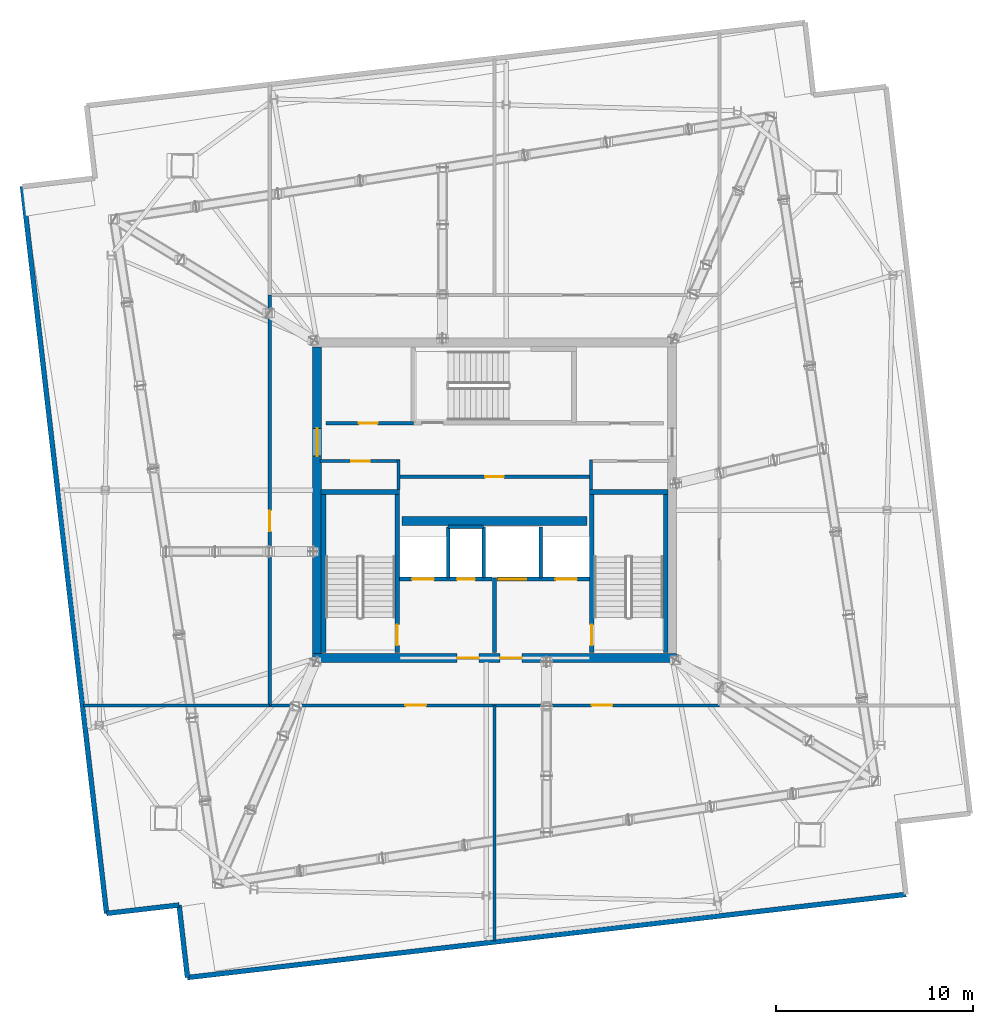
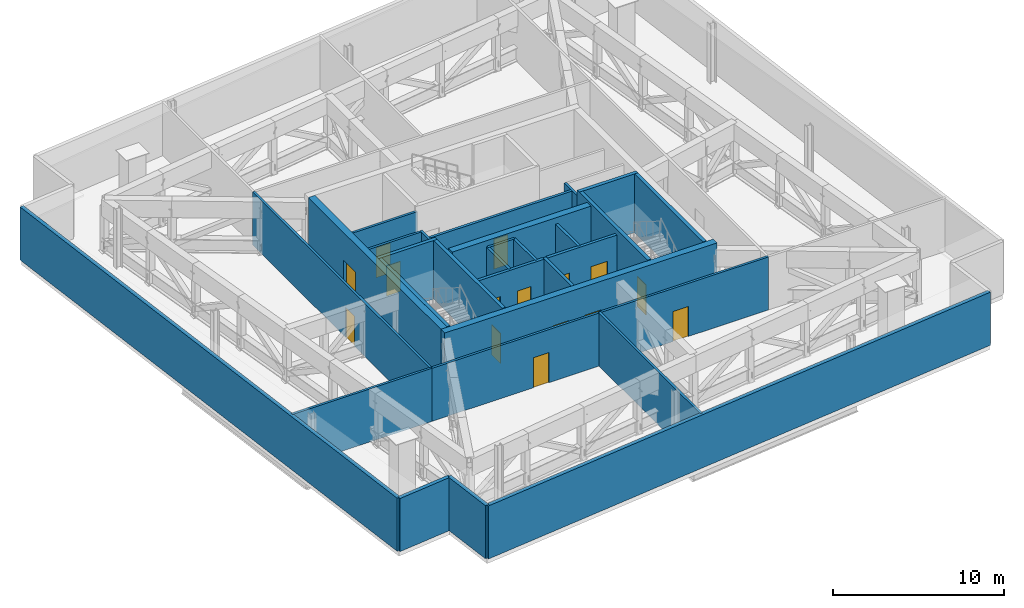
# One storey, part 9 of 13: 29 walls, 15 doors, 15 openings.
"""IFC4 building model written with IfcOpenShell, lengths in metres."""

import ifcopenshell
import ifcopenshell.guid

model = None  # the IFC model being written
_history = None  # IfcOwnerHistory: only IFC2X3 demands one
_inside = {}  # id of a spatial element -> (the spatial element, [elements in it])
_under = {}  # id of a project, library or spatial element -> (it, [spatial elements below it])
_declared = {}  # id of a project -> (the project, [libraries it declares])
_typed = {}  # id of a type object -> (the type object, [elements of that type])
_made_of = {}  # id of a material, layer set ... -> (it, [elements and type objects made of it])


def new_model(schema):
    """Start an empty IFC model of exactly this schema.

    Asked for "IFC4X3", IfcOpenShell would pick the latest addendum, in which some entities
    have other attributes; the version numbers below select the first issue.
    IFC2X3 requires an IfcOwnerHistory on every rooted entity: one is made here for all.
    """
    global model, _history
    if schema == "IFC4X3":
        model = ifcopenshell.file(schema_version=(4, 3, 0, 0))
    else:
        model = ifcopenshell.file(schema=schema)
    _inside.clear()
    _under.clear()
    _declared.clear()
    _typed.clear()
    _made_of.clear()
    _history = None
    if model.schema == "IFC2X3":
        org = make("IfcOrganization", Name="unknown")
        user = make(
            "IfcPersonAndOrganization",
            ThePerson=make("IfcPerson", FamilyName="unknown"),
            TheOrganization=org,
        )
        app = make(
            "IfcApplication",
            ApplicationDeveloper=org,
            Version="unknown",
            ApplicationFullName="unknown",
            ApplicationIdentifier="unknown",
        )
        _history = make(
            "IfcOwnerHistory",
            OwningUser=user,
            OwningApplication=app,
            ChangeAction="ADDED",
            CreationDate=0,
        )
    return model


def make(cls, **values):
    """One entity of the class cls with the attributes given. An attribute that is None is left unset."""
    return model.create_entity(
        cls, **{name: value for name, value in values.items() if value is not None}
    )


def rooted(cls, **values):
    """An entity with a GlobalId (a new one), such as an element, a storey or a relation."""
    return make(cls, GlobalId=ifcopenshell.guid.new(), OwnerHistory=_history, **values)


def si_unit(unit_type, name, prefix=None):
    """IfcSIUnit, for example si_unit("LENGTHUNIT", "METRE", prefix="MILLI")."""
    return make("IfcSIUnit", UnitType=unit_type, Prefix=prefix, Name=name)


def assignment(units):
    """IfcUnitAssignment: the units of a project."""
    return None if units is None else make("IfcUnitAssignment", Units=units)


def point(xyz):
    """IfcCartesianPoint."""
    return None if xyz is None else make("IfcCartesianPoint", Coordinates=xyz)


def direction(xyz):
    """IfcDirection."""
    return None if xyz is None else make("IfcDirection", DirectionRatios=xyz)


def frame(location, z_axis=None, x_axis=None):
    """IfcAxis2Placement3D, a coordinate frame: its origin and axes. An axis left out is left unset."""
    return make(
        "IfcAxis2Placement3D",
        Location=point(location),
        Axis=direction(z_axis),
        RefDirection=direction(x_axis),
    )


def frame_2d(location, x_axis=None):
    """IfcAxis2Placement2D, a coordinate frame in the plane: its origin and x axis."""
    return make(
        "IfcAxis2Placement2D", Location=point(location), RefDirection=direction(x_axis)
    )


def origin():
    """The frame at (0, 0, 0) with its axes left unset."""
    return frame((0.0, 0.0, 0.0))


def place(relative_to, where):
    """IfcLocalPlacement: puts the frame where relative to a parent placement (None: the world)."""
    return make(
        "IfcLocalPlacement", PlacementRelTo=relative_to, RelativePlacement=where
    )


def context(
    kind, dimensions, precision=None, world=None, true_north=None, identifier=None
):
    """IfcGeometricRepresentationContext, for example the 3D "Model" context."""
    return make(
        "IfcGeometricRepresentationContext",
        ContextIdentifier=identifier,
        ContextType=kind,
        CoordinateSpaceDimension=dimensions,
        Precision=precision,
        WorldCoordinateSystem=world,
        TrueNorth=true_north,
    )


def subcontext(parent, identifier, kind, view, scale=None):
    """IfcGeometricRepresentationSubContext, for example "Body" below "Model"."""
    return make(
        "IfcGeometricRepresentationSubContext",
        ContextIdentifier=identifier,
        ContextType=kind,
        ParentContext=parent,
        TargetScale=scale,
        TargetView=view,
    )


def project(units=None, contexts=None):
    """IfcProject with its units and contexts."""
    return rooted(
        "IfcProject",
        Name="project",
        RepresentationContexts=contexts,
        UnitsInContext=assignment(units),
    )


def spatial(cls, under=None, at=None, **own):
    """A site, building, storey or space (cls), placed at a placement, below another one or the project."""
    s = rooted(cls, ObjectPlacement=at, **own)
    if under is not None:
        _under.setdefault(under.id(), (under, []))[1].append(s)
    return s


def profile(cls, at=None, kind="AREA", **sizes):
    """A parametric profile (cls). Its sizes go by their IFC names, for example OverallWidth=200.0."""
    return make(cls, ProfileType=kind, Position=at, **sizes)


def rectangle(**sizes):
    """IfcRectangleProfileDef."""
    return profile("IfcRectangleProfileDef", **sizes)


def extrude(swept, where, along, depth):
    """IfcExtrudedAreaSolid: the profile swept, set in the frame where, extruded along a direction by depth."""
    return make(
        "IfcExtrudedAreaSolid",
        SweptArea=swept,
        Position=where,
        ExtrudedDirection=direction(along),
        Depth=depth,
    )


def shape(context_of_items, identifier, shape_type, items):
    """IfcShapeRepresentation: the items that make up one representation, for example the "Body"."""
    return make(
        "IfcShapeRepresentation",
        ContextOfItems=context_of_items,
        RepresentationIdentifier=identifier,
        RepresentationType=shape_type,
        Items=items,
    )


def material(Name=None, Category=None):
    """IfcMaterial."""
    return make("IfcMaterial", Name=Name, Category=Category)


def layer(
    of_material, thickness, ventilated=None, Name=None, Category=None, Priority=None
):
    """IfcMaterialLayer: one layer of a wall or slab, of a material (None: an air gap)."""
    return make(
        "IfcMaterialLayer",
        Material=of_material,
        LayerThickness=thickness,
        IsVentilated=ventilated,
        Name=Name,
        Category=Category,
        Priority=Priority,
    )


def layer_set(layers, Name=None):
    """IfcMaterialLayerSet."""
    return make("IfcMaterialLayerSet", MaterialLayers=layers, LayerSetName=Name)


def made_of(thing, what):
    """Note that an element or type object is made of a material, layer set ...; save() writes the relation."""
    if what is not None:
        _made_of.setdefault(what.id(), (what, []))[1].append(thing)
    return thing


def type_object(cls, material=None, **own):
    """A type object (cls), such as IfcWallType, which elements share."""
    return made_of(rooted(cls, **own), material)


def element(
    cls,
    number,
    at=None,
    inside=None,
    cuts=None,
    type_object=None,
    material=None,
    context=None,
    identifier="Body",
    shape_type=None,
    held_by="IfcProductDefinitionShape",
    body=None,
    shapes=None,
    **own,
):
    """One element of the class cls, such as IfcWall. Its Tag is "e" and its number.

    at: its placement. inside: the storey or other place that contains it. cuts: it is an
    opening in that element (IfcRelVoidsElement). A single representation is given by context,
    identifier, shape_type and body (its items); several are given by shapes. held_by: the class
    of the entity that holds the representations. save() writes the other relations.
    """
    e = rooted(cls, Tag="e%d" % number, ObjectPlacement=at, **own)
    if body is not None:
        shapes = [shape(context, identifier, shape_type, body)]
    if shapes is not None:
        e.Representation = make(held_by, Representations=shapes)
    if inside is not None:
        _inside.setdefault(inside.id(), (inside, []))[1].append(e)
    if cuts is not None:
        rooted(
            "IfcRelVoidsElement", RelatingBuildingElement=cuts, RelatedOpeningElement=e
        )
    if type_object is not None:
        _typed.setdefault(type_object.id(), (type_object, []))[1].append(e)
    return made_of(e, material)


def fill(opening, filler):
    """IfcRelFillsElement: the door or window that sits in an opening."""
    return rooted(
        "IfcRelFillsElement",
        RelatingOpeningElement=opening,
        RelatedBuildingElement=filler,
    )


def aggregate(whole, parts):
    """IfcRelAggregates: a whole, such as a stair, and the parts it consists of."""
    return rooted("IfcRelAggregates", RelatingObject=whole, RelatedObjects=parts)


def save(model, path):
    """Write the relations noted so far, then the file.

    IfcRelAggregates (storeys below a building ...), IfcRelContainedInSpatialStructure (elements
    in a storey), IfcRelDefinesByType, IfcRelAssociatesMaterial and IfcRelDeclares: one each for
    every whole, place, type object, material and project.
    """
    for whole, parts in _under.values():
        aggregate(whole, parts)
    for where, things in _inside.values():
        rooted(
            "IfcRelContainedInSpatialStructure",
            RelatedElements=things,
            RelatingStructure=where,
        )
    for kind, things in _typed.values():
        rooted("IfcRelDefinesByType", RelatedObjects=things, RelatingType=kind)
    for what, things in _made_of.values():
        rooted("IfcRelAssociatesMaterial", RelatedObjects=things, RelatingMaterial=what)
    for by, libraries in _declared.values():
        rooted("IfcRelDeclares", RelatingContext=by, RelatedDefinitions=libraries)
    model.write(path)


model = new_model("IFC4")

# Units and contexts
model_context = context("Model", 3, precision=1e-05, world=origin(), true_north=direction((0.0, 1.0)))
body_context = subcontext(model_context, "Body", "Model", "MODEL_VIEW")
ifc_project = project(units=[si_unit("LENGTHUNIT", "METRE"), si_unit("AREAUNIT", "SQUARE_METRE"), si_unit("VOLUMEUNIT", "CUBIC_METRE"), si_unit("PLANEANGLEUNIT", "RADIAN"), si_unit("MASSUNIT", "GRAM", prefix="KILO")], contexts=[model_context])

# Site, building, storey
site_placement = place(None, origin())
site = spatial("IfcSite", under=ifc_project, at=site_placement, CompositionType="ELEMENT")
building_placement = place(site_placement, origin())
building = spatial("IfcBuilding", under=site, at=building_placement, Name="Haldenkirk Collegiate Tower", CompositionType="ELEMENT")
storey_placement = place(building_placement, frame((0.0, 0.0, 352.199951171875)))
storey = spatial("IfcBuildingStorey", under=building, at=storey_placement, Name="L89", CompositionType="ELEMENT", Elevation=352.199951171875)

# Wall, openings, doors
ifc_material_1 = material(Name="Concrete f'c 55 MPa", Category="concrete")
ifc_layer_1 = layer(ifc_material_1, 0.449951171875)
ifc_layer_set_1 = layer_set([ifc_layer_1], Name="Concrete f'c 55 MPa")
wall_type_1 = type_object("IfcWallType", Name="WL-CORE-450", PredefinedType="SHEAR", material=ifc_layer_set_1)
wall_1_placement = place(storey_placement, frame((26.77490234375, 18.0, 0.0), z_axis=(0.0, 0.0, 1.0), x_axis=(1.0, 0.0, 0.0)))
wall_1 = element("IfcWall", 1, at=wall_1_placement, inside=storey, type_object=wall_type_1, Name="L89 central core shear wall S", PredefinedType="SHEAR", context=body_context, shape_type="SweptSolid", body=[
    extrude(rectangle(XDim=18.4501953125, YDim=0.449951171875, at=frame_2d((9.22509765625, 0.0))), origin(), (0.0, 0.0, 1.0), 4.199951171875),
])
opening_1_placement = place(wall_1_placement, frame((7.324951171875, 0.0, 0.0)))
opening_1 = element("IfcOpeningElement", 2, at=opening_1_placement, cuts=wall_1, Name="Opening D-02", PredefinedType="OPENING", context=body_context, shape_type="SweptSolid", body=[
    extrude(rectangle(XDim=1.10009765625, YDim=2.14990234375, at=frame_2d((0.550048828125, 1.074951171875))), frame((0.0, 0.23486328125, 0.0), z_axis=(0.0, -1.0, 0.0), x_axis=(1.0, 0.0, 0.0)), (0.0, 0.0, 1.0), 0.469970703125),
])
opening_2_placement = place(wall_1_placement, frame((9.5048828125, 0.0, 0.0)))
opening_2 = element("IfcOpeningElement", 3, at=opening_2_placement, cuts=wall_1, Name="Opening D-02", PredefinedType="OPENING", context=body_context, shape_type="SweptSolid", body=[
    extrude(rectangle(XDim=1.10009765625, YDim=2.14990234375, at=frame_2d((0.550048828125, 1.074951171875))), frame((0.0, 0.23486328125, 0.0), z_axis=(0.0, -1.0, 0.0), x_axis=(1.0, 0.0, 0.0)), (0.0, 0.0, 1.0), 0.469970703125),
])
ifc_material_2 = material(Name="Galvanized fire-rated hollow steel door", Category="steel")
ifc_layer_2 = layer(ifc_material_2, 0.06005859375)
ifc_layer_set_2 = layer_set([ifc_layer_2], Name="Galvanized fire-rated hollow steel door")
door_type_1 = type_object("IfcDoorType", Name="DR-STAIR-FD90-1100", OperationType="NOTDEFINED", PredefinedType="DOOR", material=ifc_layer_set_2)
door_1_placement = place(opening_1_placement, origin())
door_1 = element("IfcDoor", 4, at=door_1_placement, inside=storey, type_object=door_type_1, Name="L89 Firefighting Lobby 1 door", OperationType="SINGLE_SWING_LEFT", OverallHeight=2.14990234375, OverallWidth=1.10009765625, PredefinedType="DOOR", context=body_context, shape_type="SweptSolid", body=[
    extrude(rectangle(XDim=1.10009765625, YDim=2.14990234375, at=frame_2d((0.550048828125, 1.074951171875))), frame((0.0, 0.02490234375, 0.0), z_axis=(0.0, -1.0, 0.0), x_axis=(1.0, 0.0, 0.0)), (0.0, 0.0, 1.0), 0.050048828125),
])
fill(opening_1, door_1)
door_2_placement = place(opening_2_placement, origin())
door_2 = element("IfcDoor", 5, at=door_2_placement, inside=storey, type_object=door_type_1, Name="L89 Firefighting Lobby 2 door", OperationType="SINGLE_SWING_RIGHT", OverallHeight=2.14990234375, OverallWidth=1.10009765625, PredefinedType="DOOR", context=body_context, shape_type="SweptSolid", body=[
    extrude(rectangle(XDim=1.10009765625, YDim=2.14990234375, at=frame_2d((0.550048828125, 1.074951171875))), frame((0.0, 0.02490234375, 0.0), z_axis=(0.0, -1.0, 0.0), x_axis=(1.0, 0.0, 0.0)), (0.0, 0.0, 1.0), 0.050048828125),
])
fill(opening_2, door_2)

# Wall, opening, door
wall_2_placement = place(storey_placement, frame((27.0, 18.22509765625, 0.0), z_axis=(0.0, 0.0, 1.0), x_axis=(0.0, 1.0, 0.0)))
wall_2 = element("IfcWall", 6, at=wall_2_placement, inside=storey, type_object=wall_type_1, Name="L89 central core shear wall W", PredefinedType="SHEAR", context=body_context, shape_type="SweptSolid", body=[
    extrude(rectangle(XDim=15.5498046875, YDim=0.449951171875, at=frame_2d((7.77490234375, 0.0))), origin(), (0.0, 0.0, 1.0), 4.199951171875),
])
opening_3_placement = place(wall_2_placement, frame((10.014892578125, 0.0, 0.0)))
opening_3 = element("IfcOpeningElement", 7, at=opening_3_placement, cuts=wall_2, Name="Opening D-03", PredefinedType="OPENING", context=body_context, shape_type="SweptSolid", body=[
    extrude(rectangle(XDim=1.39990234375, YDim=2.199951171875, at=frame_2d((0.699951171875, 1.10009765625))), frame((0.0, 0.23486328125, 0.0), z_axis=(0.0, -1.0, 0.0), x_axis=(1.0, 0.0, 0.0)), (0.0, 0.0, 1.0), 0.469970703125),
])
ifc_layer_3 = layer(ifc_material_2, 0.06005859375)
ifc_layer_set_3 = layer_set([ifc_layer_3], Name="Galvanized fire-rated hollow steel door")
door_type_2 = type_object("IfcDoorType", Name="DR-LOBBY-FD90-1400", OperationType="NOTDEFINED", PredefinedType="DOOR", material=ifc_layer_set_3)
door_3_placement = place(opening_3_placement, origin())
door_3 = element("IfcDoor", 8, at=door_3_placement, inside=storey, type_object=door_type_2, Name="L89 west lift lobby portal", OperationType="DOUBLE_DOOR_SINGLE_SWING", OverallHeight=2.199951171875, OverallWidth=1.39990234375, PredefinedType="DOOR", context=body_context, shape_type="SweptSolid", body=[
    extrude(rectangle(XDim=1.39990234375, YDim=2.199951171875, at=frame_2d((0.699951171875, 1.10009765625))), frame((0.0, 0.02490234375, 0.0), z_axis=(0.0, -1.0, 0.0), x_axis=(1.0, 0.0, 0.0)), (0.0, 0.0, 1.0), 0.050048828125),
])
fill(opening_3, door_3)

# Walls
wall_3_placement = place(storey_placement, frame((31.31005859375, 24.949951171875, 0.0), z_axis=(0.0, 0.0, 1.0), x_axis=(1.0, 0.0, 0.0)))
element("IfcWall", 9, at=wall_3_placement, inside=storey, type_object=wall_type_1, Name="L89 central core spine shear wall", PredefinedType="SHEAR", context=body_context, shape_type="SweptSolid", body=[
    extrude(rectangle(XDim=9.3798828125, YDim=0.449951171875, at=frame_2d((4.68994140625, 0.0))), origin(), (0.0, 0.0, 1.0), 4.199951171875),
])
ifc_material_3 = material(Name="Precast concrete f'c 40 MPa", Category="concrete")
ifc_layer_4 = layer(ifc_material_3, 0.25)
ifc_layer_set_4 = layer_set([ifc_layer_4], Name="Precast concrete f'c 40 MPa")
wall_type_2 = type_object("IfcWallType", Name="WL-EXT-CRN-250", PredefinedType="STANDARD", material=ifc_layer_set_4)
wall_4_placement = place(storey_placement, frame((16.32763671875, 5.050048828125, 0.0), z_axis=(0.0, 0.0, 1.0), x_axis=(-0.114936569822, 0.993372832786, 0.0)))
element("IfcWall", 10, at=wall_4_placement, inside=storey, type_object=wall_type_2, Name="L89 crown bronze precast enclosure wall 07", PredefinedType="STANDARD", context=body_context, shape_type="SweptSolid", body=[
    extrude(rectangle(XDim=37.10009765625, YDim=0.25, at=frame_2d((18.550048828125, 0.0))), origin(), (0.0, 0.0, 1.0), 3.800048828125),
])
wall_5_placement = place(storey_placement, frame((20.0029296875, 5.475341796875, 0.0), z_axis=(0.0, 0.0, 1.0), x_axis=(-0.993371313156, -0.114949702904, 0.0)))
element("IfcWall", 11, at=wall_5_placement, inside=storey, type_object=wall_type_2, Name="L89 crown bronze precast enclosure wall 08", PredefinedType="STANDARD", context=body_context, shape_type="SweptSolid", body=[
    extrude(rectangle(XDim=3.69970703125, YDim=0.25, at=frame_2d((1.849853515625, 0.0))), origin(), (0.0, 0.0, 1.0), 3.800048828125),
])
wall_6_placement = place(storey_placement, frame((20.42822265625, 1.7998046875, 0.0), z_axis=(0.0, 0.0, 1.0), x_axis=(-0.114942168466, 0.993372184988, 0.0)))
element("IfcWall", 12, at=wall_6_placement, inside=storey, type_object=wall_type_2, Name="L89 crown bronze precast enclosure wall 09", PredefinedType="STANDARD", context=body_context, shape_type="SweptSolid", body=[
    extrude(rectangle(XDim=3.699951171875, YDim=0.25, at=frame_2d((1.85009765625, 0.0))), origin(), (0.0, 0.0, 1.0), 3.800048828125),
])
wall_7_placement = place(storey_placement, frame((56.860107421875, 6.01513671875, 0.0), z_axis=(0.0, 0.0, 1.0), x_axis=(-0.993372706006, -0.114937665551, 0.0)))
element("IfcWall", 13, at=wall_7_placement, inside=storey, type_object=wall_type_2, Name="L89 crown bronze precast enclosure wall 10", PredefinedType="STANDARD", context=body_context, shape_type="SweptSolid", body=[
    extrude(rectangle(XDim=36.675048828125, YDim=0.25, at=frame_2d((18.33740234375, 0.0))), origin(), (0.0, 0.0, 1.0), 3.800048828125),
])

# Wall, opening, door
ifc_material_4 = material(Name="Acoustic fire-rated gypsum partition", Category="concrete")
ifc_layer_5 = layer(ifc_material_4, 0.159912109375)
ifc_layer_set_5 = layer_set([ifc_layer_5], Name="Acoustic fire-rated gypsum partition")
wall_type_3 = type_object("IfcWallType", Name="WL-INT-CORR-160", PredefinedType="PARTITIONING", material=ifc_layer_set_5)
wall_8_placement = place(storey_placement, frame((27.14990234375, 27.97998046875, 0.0), z_axis=(0.0, 0.0, 1.0), x_axis=(1.0, 0.0, 0.0)))
wall_8 = element("IfcWall", 14, at=wall_8_placement, inside=storey, type_object=wall_type_3, Name="L89 interior partition IW-L89-VCSW-N", PredefinedType="PARTITIONING", context=body_context, shape_type="SweptSolid", body=[
    extrude(rectangle(XDim=4.050048828125, YDim=0.159912109375, at=frame_2d((2.02490234375, 0.0))), origin(), (0.0, 0.0, 1.0), 3.800048828125),
])
opening_4_placement = place(wall_8_placement, frame((1.574951171875, 0.0, 0.0)))
opening_4 = element("IfcOpeningElement", 15, at=opening_4_placement, cuts=wall_8, Name="Opening D-10", PredefinedType="OPENING", context=body_context, shape_type="SweptSolid", body=[
    extrude(rectangle(XDim=0.949951171875, YDim=2.14990234375, at=frame_2d((0.47509765625, 1.074951171875))), frame((0.0, 0.08984375, 0.0), z_axis=(0.0, -1.0, 0.0), x_axis=(1.0, 0.0, 0.0)), (0.0, 0.0, 1.0), 0.179931640625),
])
ifc_material_5 = material(Name="Solid-core architectural oak fire door", Category="wood")
ifc_layer_6 = layer(ifc_material_5, 0.06005859375)
ifc_layer_set_6 = layer_set([ifc_layer_6], Name="Solid-core architectural oak fire door")
door_type_3 = type_object("IfcDoorType", Name="DR-INT-FD60-950", OperationType="NOTDEFINED", PredefinedType="DOOR", material=ifc_layer_set_6)
door_4_placement = place(opening_4_placement, origin())
door_4 = element("IfcDoor", 16, at=door_4_placement, inside=storey, type_object=door_type_3, Name="L89 core electrical door", OperationType="SINGLE_SWING_LEFT", OverallHeight=2.14990234375, OverallWidth=0.949951171875, PredefinedType="DOOR", context=body_context, shape_type="SweptSolid", body=[
    extrude(rectangle(XDim=0.949951171875, YDim=2.14990234375, at=frame_2d((0.47509765625, 1.074951171875))), frame((0.0, 0.02490234375, 0.0), z_axis=(0.0, -1.0, 0.0), x_axis=(1.0, 0.0, 0.0)), (0.0, 0.0, 1.0), 0.050048828125),
])
fill(opening_4, door_4)

# Walls
for number, where, z_axis, x_axis, name in (
    (17, (31.1201171875, 26.5400390625, 0.0), (0.0, 0.0, 1.0), (0.0, 1.0, 0.0), "L89 interior partition IW-L89-VCSW-E"),
    (18, (40.8798828125, 26.5400390625, 0.0), (0.0, 0.0, 1.0), (0.0, 1.0, 0.0), "L89 interior partition IW-L89-VCSE-W"),
):
    element("IfcWall", number, at=place(storey_placement, frame(where, z_axis=z_axis, x_axis=x_axis)), inside=storey, type_object=wall_type_3, Name=name, PredefinedType="PARTITIONING", context=body_context, shape_type="SweptSolid", body=[
        extrude(rectangle(XDim=1.510009765625, YDim=0.159912109375, at=frame_2d((0.7548828125, 0.0))), origin(), (0.0, 0.0, 1.0), 3.800048828125),
    ])

# Wall, opening, door
wall_9_placement = place(storey_placement, frame((27.449951171875, 29.89990234375, 0.0), z_axis=(0.0, 0.0, 1.0), x_axis=(1.0, 0.0, 0.0)))
wall_9 = element("IfcWall", 19, at=wall_9_placement, inside=storey, type_object=wall_type_3, Name="L89 interior partition IW-L89-PLS", PredefinedType="PARTITIONING", context=body_context, shape_type="SweptSolid", body=[
    extrude(rectangle(XDim=4.429931640625, YDim=0.159912109375, at=frame_2d((2.21484375, 0.0))), origin(), (0.0, 0.0, 1.0), 3.800048828125),
])
opening_5_placement = place(wall_9_placement, frame((1.675048828125, 0.0, 0.0)))
opening_5 = element("IfcOpeningElement", 20, at=opening_5_placement, cuts=wall_9, Name="Opening D-10", PredefinedType="OPENING", context=body_context, shape_type="SweptSolid", body=[
    extrude(rectangle(XDim=0.949951171875, YDim=2.14990234375, at=frame_2d((0.47509765625, 1.074951171875))), frame((0.0, 0.08984375, 0.0), z_axis=(0.0, -1.0, 0.0), x_axis=(1.0, 0.0, 0.0)), (0.0, 0.0, 1.0), 0.179931640625),
])
door_5_placement = place(opening_5_placement, origin())
door_5 = element("IfcDoor", 21, at=door_5_placement, inside=storey, type_object=door_type_3, Name="L89 reclaimed plant store door", OperationType="SINGLE_SWING_LEFT", OverallHeight=2.14990234375, OverallWidth=0.949951171875, PredefinedType="DOOR", context=body_context, shape_type="SweptSolid", body=[
    extrude(rectangle(XDim=0.949951171875, YDim=2.14990234375, at=frame_2d((0.47509765625, 1.074951171875))), frame((0.0, 0.02490234375, 0.0), z_axis=(0.0, -1.0, 0.0), x_axis=(1.0, 0.0, 0.0)), (0.0, 0.0, 1.0), 0.050048828125),
])
fill(opening_5, door_5)

# Wall, openings, doors
wall_10_placement = place(storey_placement, frame((24.60009765625, 15.60009765625, 0.0), z_axis=(0.0, 0.0, 1.0), x_axis=(1.0, 0.0, 0.0)))
wall_10 = element("IfcWall", 22, at=wall_10_placement, inside=storey, type_object=wall_type_3, Name="L89 interior partition IW-L89-CS", PredefinedType="PARTITIONING", context=body_context, shape_type="SweptSolid", body=[
    extrude(rectangle(XDim=22.7998046875, YDim=0.159912109375, at=frame_2d((11.39990234375, 0.0))), origin(), (0.0, 0.0, 1.0), 3.800048828125),
])
opening_6_placement = place(wall_10_placement, frame((6.875, 0.0, 0.0)))
opening_6 = element("IfcOpeningElement", 23, at=opening_6_placement, cuts=wall_10, Name="Opening D-09", PredefinedType="OPENING", context=body_context, shape_type="SweptSolid", body=[
    extrude(rectangle(XDim=1.050048828125, YDim=2.14990234375, at=frame_2d((0.52490234375, 1.074951171875))), frame((0.0, 0.08984375, 0.0), z_axis=(0.0, -1.0, 0.0), x_axis=(1.0, 0.0, 0.0)), (0.0, 0.0, 1.0), 0.179931640625),
])
opening_7_placement = place(wall_10_placement, frame((16.324951171875, 0.0, 0.0)))
opening_7 = element("IfcOpeningElement", 24, at=opening_7_placement, cuts=wall_10, Name="Opening D-09", PredefinedType="OPENING", context=body_context, shape_type="SweptSolid", body=[
    extrude(rectangle(XDim=1.050048828125, YDim=2.14990234375, at=frame_2d((0.52490234375, 1.074951171875))), frame((0.0, 0.08984375, 0.0), z_axis=(0.0, -1.0, 0.0), x_axis=(1.0, 0.0, 0.0)), (0.0, 0.0, 1.0), 0.179931640625),
])
ifc_layer_7 = layer(ifc_material_5, 0.06005859375)
ifc_layer_set_7 = layer_set([ifc_layer_7], Name="Solid-core architectural oak fire door")
door_type_4 = type_object("IfcDoorType", Name="DR-INT-FD60-1050", OperationType="NOTDEFINED", PredefinedType="DOOR", material=ifc_layer_set_7)
door_6_placement = place(opening_6_placement, origin())
door_6 = element("IfcDoor", 25, at=door_6_placement, inside=storey, type_object=door_type_4, Name="L89 crown SW plant door", OperationType="SINGLE_SWING_RIGHT", OverallHeight=2.14990234375, OverallWidth=1.050048828125, PredefinedType="DOOR", context=body_context, shape_type="SweptSolid", body=[
    extrude(rectangle(XDim=1.050048828125, YDim=2.14990234375, at=frame_2d((0.52490234375, 1.074951171875))), frame((0.0, 0.02490234375, 0.0), z_axis=(0.0, -1.0, 0.0), x_axis=(1.0, 0.0, 0.0)), (0.0, 0.0, 1.0), 0.050048828125),
])
fill(opening_6, door_6)
door_7_placement = place(opening_7_placement, origin())
door_7 = element("IfcDoor", 26, at=door_7_placement, inside=storey, type_object=door_type_4, Name="L89 crown SE plant door", OperationType="SINGLE_SWING_LEFT", OverallHeight=2.14990234375, OverallWidth=1.050048828125, PredefinedType="DOOR", context=body_context, shape_type="SweptSolid", body=[
    extrude(rectangle(XDim=1.050048828125, YDim=2.14990234375, at=frame_2d((0.52490234375, 1.074951171875))), frame((0.0, 0.02490234375, 0.0), z_axis=(0.0, -1.0, 0.0), x_axis=(1.0, 0.0, 0.0)), (0.0, 0.0, 1.0), 0.050048828125),
])
fill(opening_7, door_7)

# Wall, opening, door
wall_11_placement = place(storey_placement, frame((24.60009765625, 15.60009765625, 0.0), z_axis=(0.0, 0.0, 1.0), x_axis=(0.0, 1.0, 0.0)))
wall_11 = element("IfcWall", 27, at=wall_11_placement, inside=storey, type_object=wall_type_3, Name="L89 interior partition IW-L89-CW", PredefinedType="PARTITIONING", context=body_context, shape_type="SweptSolid", body=[
    extrude(rectangle(XDim=20.7998046875, YDim=0.159912109375, at=frame_2d((10.39990234375, 0.0))), origin(), (0.0, 0.0, 1.0), 3.800048828125),
])
opening_8_placement = place(wall_11_placement, frame((8.824951171875, 0.0, 0.0)))
opening_8 = element("IfcOpeningElement", 28, at=opening_8_placement, cuts=wall_11, Name="Opening D-09", PredefinedType="OPENING", context=body_context, shape_type="SweptSolid", body=[
    extrude(rectangle(XDim=1.050048828125, YDim=2.14990234375, at=frame_2d((0.52490234375, 1.074951171875))), frame((0.0, 0.08984375, 0.0), z_axis=(0.0, -1.0, 0.0), x_axis=(1.0, 0.0, 0.0)), (0.0, 0.0, 1.0), 0.179931640625),
])
door_8_placement = place(opening_8_placement, origin())
door_8 = element("IfcDoor", 29, at=door_8_placement, inside=storey, type_object=door_type_4, Name="L89 crown W plant door", OperationType="SINGLE_SWING_RIGHT", OverallHeight=2.14990234375, OverallWidth=1.050048828125, PredefinedType="DOOR", context=body_context, shape_type="SweptSolid", body=[
    extrude(rectangle(XDim=1.050048828125, YDim=2.14990234375, at=frame_2d((0.52490234375, 1.074951171875))), frame((0.0, 0.02490234375, 0.0), z_axis=(0.0, -1.0, 0.0), x_axis=(1.0, 0.0, 0.0)), (0.0, 0.0, 1.0), 0.050048828125),
])
fill(opening_8, door_8)

# Walls
wall_12_placement = place(storey_placement, frame((36.0, 3.641845703125, 0.0), z_axis=(0.0, 0.0, 1.0), x_axis=(0.0, 1.0, 0.0)))
element("IfcWall", 30, at=wall_12_placement, inside=storey, type_object=wall_type_3, Name="L89 interior partition IW-L89-D1", PredefinedType="PARTITIONING", context=body_context, shape_type="SweptSolid", body=[
    extrude(rectangle(XDim=11.958251953125, YDim=0.159912109375, at=frame_2d((5.97900390625, 0.0))), origin(), (0.0, 0.0, 1.0), 3.800048828125),
])
wall_13_placement = place(storey_placement, frame((15.147216796875, 15.60009765625, 0.0), z_axis=(0.0, 0.0, 1.0), x_axis=(1.0, 0.0, 0.0)))
element("IfcWall", 31, at=wall_13_placement, inside=storey, type_object=wall_type_3, Name="L89 interior partition IW-L89-D3", PredefinedType="PARTITIONING", context=body_context, shape_type="SweptSolid", body=[
    extrude(rectangle(XDim=9.452880859375, YDim=0.159912109375, at=frame_2d((4.7265625, 0.0))), origin(), (0.0, 0.0, 1.0), 3.800048828125),
])
ifc_material_6 = material(Name="Fire-rated gypsum shaftboard assembly", Category="concrete")
ifc_layer_8 = layer(ifc_material_6, 0.179931640625)
ifc_layer_set_8 = layer_set([ifc_layer_8], Name="Fire-rated gypsum shaftboard assembly")
wall_type_4 = type_object("IfcWallType", Name="WL-INT-SHAFT-180", PredefinedType="PARTITIONING", material=ifc_layer_set_8)
for number, where, z_axis, x_axis, name in (
    (32, (33.64990234375, 22.050048828125, 0.0), (0.0, 0.0, 1.0), (0.0, 1.0, 0.0), "L89 interior partition IW-L89-FL1E"),
    (33, (35.449951171875, 22.050048828125, 0.0), (0.0, 0.0, 1.0), (0.0, 1.0, 0.0), "L89 interior partition IW-L89-GL1W"),
):
    element("IfcWall", number, at=place(storey_placement, frame(where, z_axis=z_axis, x_axis=x_axis)), inside=storey, type_object=wall_type_4, Name=name, PredefinedType="PARTITIONING", context=body_context, shape_type="SweptSolid", body=[
        extrude(rectangle(XDim=2.599853515625, YDim=0.179931640625, at=frame_2d((1.2998046875, 0.0))), origin(), (0.0, 0.0, 1.0), 3.800048828125),
    ])
wall_14_placement = place(storey_placement, frame((33.64990234375, 24.64990234375, 0.0), z_axis=(0.0, 0.0, 1.0), x_axis=(1.0, 0.0, 0.0)))
element("IfcWall", 34, at=wall_14_placement, inside=storey, type_object=wall_type_4, Name="L89 interior partition IW-L89-RSRN", PredefinedType="PARTITIONING", context=body_context, shape_type="SweptSolid", body=[
    extrude(rectangle(XDim=1.800048828125, YDim=0.179931640625, at=frame_2d((0.89990234375, 0.0))), origin(), (0.0, 0.0, 1.0), 3.800048828125),
])
wall_15_placement = place(storey_placement, frame((38.35009765625, 22.050048828125, 0.0), z_axis=(0.0, 0.0, 1.0), x_axis=(0.0, 1.0, 0.0)))
element("IfcWall", 35, at=wall_15_placement, inside=storey, type_object=wall_type_4, Name="L89 interior partition IW-L89-GL1E", PredefinedType="PARTITIONING", context=body_context, shape_type="SweptSolid", body=[
    extrude(rectangle(XDim=2.599853515625, YDim=0.179931640625, at=frame_2d((1.2998046875, 0.0))), origin(), (0.0, 0.0, 1.0), 3.800048828125),
])

# Wall, opening, door
wall_16_placement = place(storey_placement, frame((31.199951171875, 27.199951171875, 0.0), z_axis=(0.0, 0.0, 1.0), x_axis=(1.0, 0.0, 0.0)))
wall_16 = element("IfcWall", 36, at=wall_16_placement, inside=storey, type_object=wall_type_4, Name="L89 interior partition IW-L89-PHN", PredefinedType="PARTITIONING", context=body_context, shape_type="SweptSolid", body=[
    extrude(rectangle(XDim=9.60009765625, YDim=0.179931640625, at=frame_2d((4.800048828125, 0.0))), origin(), (0.0, 0.0, 1.0), 3.800048828125),
])
opening_9_placement = place(wall_16_placement, frame((4.324951171875, 0.0, 0.0)))
opening_9 = element("IfcOpeningElement", 37, at=opening_9_placement, cuts=wall_16, Name="Opening D-05", PredefinedType="OPENING", context=body_context, shape_type="SweptSolid", body=[
    extrude(rectangle(XDim=0.949951171875, YDim=2.14990234375, at=frame_2d((0.47509765625, 1.074951171875))), frame((0.0, 0.099853515625, 0.0), z_axis=(0.0, -1.0, 0.0), x_axis=(1.0, 0.0, 0.0)), (0.0, 0.0, 1.0), 0.199951171875),
])
ifc_layer_9 = layer(ifc_material_2, 0.06005859375)
ifc_layer_set_9 = layer_set([ifc_layer_9], Name="Galvanized fire-rated hollow steel door")
door_type_5 = type_object("IfcDoorType", Name="DR-INT-FD90-950", OperationType="NOTDEFINED", PredefinedType="DOOR", material=ifc_layer_set_9)
door_9_placement = place(opening_9_placement, origin())
door_9 = element("IfcDoor", 38, at=door_9_placement, inside=storey, type_object=door_type_5, Name="L89 PH machine room door", OperationType="SINGLE_SWING_LEFT", OverallHeight=2.14990234375, OverallWidth=0.949951171875, PredefinedType="DOOR", context=body_context, shape_type="SweptSolid", body=[
    extrude(rectangle(XDim=0.949951171875, YDim=2.14990234375, at=frame_2d((0.47509765625, 1.074951171875))), frame((0.0, 0.02490234375, 0.0), z_axis=(0.0, -1.0, 0.0), x_axis=(1.0, 0.0, 0.0)), (0.0, 0.0, 1.0), 0.050048828125),
])
fill(opening_9, door_9)

# Wall
ifc_layer_10 = layer(ifc_material_6, 0.199951171875)
ifc_layer_set_10 = layer_set([ifc_layer_10], Name="Fire-rated gypsum shaftboard assembly")
wall_type_5 = type_object("IfcWallType", Name="WL-INT-SHAFT-200", PredefinedType="PARTITIONING", material=ifc_layer_set_10)
wall_17_placement = place(storey_placement, frame((36.0, 18.280029296875, 0.0), z_axis=(0.0, 0.0, 1.0), x_axis=(0.0, 1.0, 0.0)))
element("IfcWall", 39, at=wall_17_placement, inside=storey, type_object=wall_type_5, Name="L89 interior partition IW-L89-FFLM", PredefinedType="PARTITIONING", context=body_context, shape_type="SweptSolid", body=[
    extrude(rectangle(XDim=3.77001953125, YDim=0.199951171875, at=frame_2d((1.885009765625, 0.0))), origin(), (0.0, 0.0, 1.0), 3.800048828125),
])

# Wall, openings, doors
wall_18_placement = place(storey_placement, frame((31.18994140625, 22.0, 0.0), z_axis=(0.0, 0.0, 1.0), x_axis=(1.0, 0.0, 0.0)))
wall_18 = element("IfcWall", 40, at=wall_18_placement, inside=storey, type_object=wall_type_5, Name="L89 interior partition IW-L89-FFL1N", PredefinedType="PARTITIONING", context=body_context, shape_type="SweptSolid", body=[
    extrude(rectangle(XDim=4.68994140625, YDim=0.199951171875, at=frame_2d((2.344970703125, 0.0))), origin(), (0.0, 0.0, 1.0), 3.800048828125),
])
opening_10_placement = place(wall_18_placement, frame((2.909912109375, 0.0, 0.0)))
opening_10 = element("IfcOpeningElement", 41, at=opening_10_placement, cuts=wall_18, Name="Opening D-06", PredefinedType="OPENING", context=body_context, shape_type="SweptSolid", body=[
    extrude(rectangle(XDim=0.89990234375, YDim=2.14990234375, at=frame_2d((0.449951171875, 1.074951171875))), frame((0.0, 0.10986328125, 0.0), z_axis=(0.0, -1.0, 0.0), x_axis=(1.0, 0.0, 0.0)), (0.0, 0.0, 1.0), 0.219970703125),
])
opening_11_placement = place(wall_18_placement, frame((0.635009765625, 0.0, 0.0)))
opening_11 = element("IfcOpeningElement", 42, at=opening_11_placement, cuts=wall_18, Name="Opening LD-12", PredefinedType="OPENING", context=body_context, shape_type="SweptSolid", body=[
    extrude(rectangle(XDim=1.10009765625, YDim=2.14990234375, at=frame_2d((0.550048828125, 1.074951171875))), frame((0.0, 0.10986328125, 0.0), z_axis=(0.0, -1.0, 0.0), x_axis=(1.0, 0.0, 0.0)), (0.0, 0.0, 1.0), 0.219970703125),
])
ifc_layer_11 = layer(ifc_material_2, 0.06005859375)
ifc_layer_set_11 = layer_set([ifc_layer_11], Name="Galvanized fire-rated hollow steel door")
door_type_6 = type_object("IfcDoorType", Name="DR-INT-FD90-900", OperationType="NOTDEFINED", PredefinedType="DOOR", material=ifc_layer_set_11)
door_10_placement = place(opening_10_placement, origin())
door_10 = element("IfcDoor", 43, at=door_10_placement, inside=storey, type_object=door_type_6, Name="L89 electrical riser door", OperationType="SINGLE_SWING_LEFT", OverallHeight=2.14990234375, OverallWidth=0.89990234375, PredefinedType="DOOR", context=body_context, shape_type="SweptSolid", body=[
    extrude(rectangle(XDim=0.89990234375, YDim=2.14990234375, at=frame_2d((0.449951171875, 1.074951171875))), frame((0.0, 0.02490234375, 0.0), z_axis=(0.0, -1.0, 0.0), x_axis=(1.0, 0.0, 0.0)), (0.0, 0.0, 1.0), 0.050048828125),
])
fill(opening_10, door_10)
ifc_material_7 = material(Name="Brushed architectural stainless steel", Category="steel")
ifc_layer_12 = layer(ifc_material_7, 0.06005859375)
ifc_layer_set_12 = layer_set([ifc_layer_12], Name="Brushed architectural stainless steel")
door_type_7 = type_object("IfcDoorType", Name="LD-FIRE-1100", OperationType="NOTDEFINED", PredefinedType="DOOR", material=ifc_layer_set_12)
door_11_placement = place(opening_11_placement, origin())
door_11 = element("IfcDoor", 44, at=door_11_placement, inside=storey, type_object=door_type_7, Name="L89 Elevator FL1 sliding landing door", OperationType="SLIDING_TO_LEFT", OverallHeight=2.14990234375, OverallWidth=1.10009765625, PredefinedType="DOOR", context=body_context, shape_type="SweptSolid", body=[
    extrude(rectangle(XDim=1.10009765625, YDim=2.14990234375, at=frame_2d((0.550048828125, 1.074951171875))), frame((0.0, 0.02490234375, 0.0), z_axis=(0.0, -1.0, 0.0), x_axis=(1.0, 0.0, 0.0)), (0.0, 0.0, 1.0), 0.050048828125),
])
fill(opening_11, door_11)

wall_19_placement = place(storey_placement, frame((36.1201171875, 22.0, 0.0), z_axis=(0.0, 0.0, 1.0), x_axis=(1.0, 0.0, 0.0)))
wall_19 = element("IfcWall", 45, at=wall_19_placement, inside=storey, type_object=wall_type_5, Name="L89 interior partition IW-L89-FFL2N", PredefinedType="PARTITIONING", context=body_context, shape_type="SweptSolid", body=[
    extrude(rectangle(XDim=4.68994140625, YDim=0.199951171875, at=frame_2d((2.344970703125, 0.0))), origin(), (0.0, 0.0, 1.0), 3.800048828125),
])
opening_12_placement = place(wall_19_placement, frame((2.955078125, 0.0, 0.0)))
opening_12 = element("IfcOpeningElement", 46, at=opening_12_placement, cuts=wall_19, Name="Opening LD-12", PredefinedType="OPENING", context=body_context, shape_type="SweptSolid", body=[
    extrude(rectangle(XDim=1.10009765625, YDim=2.14990234375, at=frame_2d((0.550048828125, 1.074951171875))), frame((0.0, 0.10986328125, 0.0), z_axis=(0.0, -1.0, 0.0), x_axis=(1.0, 0.0, 0.0)), (0.0, 0.0, 1.0), 0.219970703125),
])
opening_13_placement = place(wall_19_placement, frame((0.080078125, 0.0, 0.0)))
opening_13 = element("IfcOpeningElement", 47, at=opening_13_placement, cuts=wall_19, Name="Opening LD-13", PredefinedType="OPENING", context=body_context, shape_type="SweptSolid", body=[
    extrude(rectangle(XDim=1.39990234375, YDim=2.199951171875, at=frame_2d((0.699951171875, 1.10009765625))), frame((0.0, 0.10986328125, 0.0), z_axis=(0.0, -1.0, 0.0), x_axis=(1.0, 0.0, 0.0)), (0.0, 0.0, 1.0), 0.219970703125),
])
door_12_placement = place(opening_12_placement, origin())
door_12 = element("IfcDoor", 48, at=door_12_placement, inside=storey, type_object=door_type_7, Name="L89 Elevator FL2 sliding landing door", OperationType="SLIDING_TO_LEFT", OverallHeight=2.14990234375, OverallWidth=1.10009765625, PredefinedType="DOOR", context=body_context, shape_type="SweptSolid", body=[
    extrude(rectangle(XDim=1.10009765625, YDim=2.14990234375, at=frame_2d((0.550048828125, 1.074951171875))), frame((0.0, 0.02490234375, 0.0), z_axis=(0.0, -1.0, 0.0), x_axis=(1.0, 0.0, 0.0)), (0.0, 0.0, 1.0), 0.050048828125),
])
fill(opening_12, door_12)
ifc_layer_13 = layer(ifc_material_7, 0.06005859375)
ifc_layer_set_13 = layer_set([ifc_layer_13], Name="Brushed architectural stainless steel")
door_type_8 = type_object("IfcDoorType", Name="LD-GOODS-1400", OperationType="NOTDEFINED", PredefinedType="DOOR", material=ifc_layer_set_13)
door_13_placement = place(opening_13_placement, origin())
door_13 = element("IfcDoor", 49, at=door_13_placement, inside=storey, type_object=door_type_8, Name="L89 Elevator GL1 sliding landing door", OperationType="SLIDING_TO_LEFT", OverallHeight=2.199951171875, OverallWidth=1.39990234375, PredefinedType="DOOR", context=body_context, shape_type="SweptSolid", body=[
    extrude(rectangle(XDim=1.39990234375, YDim=2.199951171875, at=frame_2d((0.699951171875, 1.10009765625))), frame((0.0, 0.02490234375, 0.0), z_axis=(0.0, -1.0, 0.0), x_axis=(1.0, 0.0, 0.0)), (0.0, 0.0, 1.0), 0.050048828125),
])
fill(opening_13, door_13)

# Wall, opening, door
ifc_layer_14 = layer(ifc_material_1, 0.239990234375)
ifc_layer_set_14 = layer_set([ifc_layer_14], Name="Concrete f'c 55 MPa")
wall_type_6 = type_object("IfcWallType", Name="WL-SHAFT-240", PredefinedType="SHEAR", material=ifc_layer_set_14)
wall_20_placement = place(storey_placement, frame((31.070068359375, 18.280029296875, 0.0), z_axis=(0.0, 0.0, 1.0), x_axis=(0.0, 1.0, 0.0)))
wall_20 = element("IfcWall", 50, at=wall_20_placement, inside=storey, type_object=wall_type_6, Name="L89 stair shaft shear wall SW-L89-ST1E", PredefinedType="SHEAR", context=body_context, shape_type="SweptSolid", body=[
    extrude(rectangle(XDim=8.260009765625, YDim=0.239990234375, at=frame_2d((4.1298828125, 0.0))), origin(), (0.0, 0.0, 1.0), 4.199951171875),
])
opening_14_placement = place(wall_20_placement, frame((0.364990234375, 0.0, 0.0)))
opening_14 = element("IfcOpeningElement", 51, at=opening_14_placement, cuts=wall_20, Name="Opening D-01", PredefinedType="OPENING", context=body_context, shape_type="SweptSolid", body=[
    extrude(rectangle(XDim=1.050048828125, YDim=2.14990234375, at=frame_2d((0.52490234375, 1.074951171875))), frame((0.0, 0.1298828125, 0.0), z_axis=(0.0, -1.0, 0.0), x_axis=(1.0, 0.0, 0.0)), (0.0, 0.0, 1.0), 0.260009765625),
])
ifc_layer_15 = layer(ifc_material_2, 0.06005859375)
ifc_layer_set_15 = layer_set([ifc_layer_15], Name="Galvanized fire-rated hollow steel door")
door_type_9 = type_object("IfcDoorType", Name="DR-STAIR-FD90-1050", OperationType="NOTDEFINED", PredefinedType="DOOR", material=ifc_layer_set_15)
door_14_placement = place(opening_14_placement, origin())
door_14 = element("IfcDoor", 52, at=door_14_placement, inside=storey, type_object=door_type_9, Name="L89 Stair 1 door", OperationType="SINGLE_SWING_LEFT", OverallHeight=2.14990234375, OverallWidth=1.050048828125, PredefinedType="DOOR", context=body_context, shape_type="SweptSolid", body=[
    extrude(rectangle(XDim=1.050048828125, YDim=2.14990234375, at=frame_2d((0.52490234375, 1.074951171875))), frame((0.0, 0.02490234375, 0.0), z_axis=(0.0, -1.0, 0.0), x_axis=(1.0, 0.0, 0.0)), (0.0, 0.0, 1.0), 0.050048828125),
])
fill(opening_14, door_14)

# Walls
wall_21_placement = place(storey_placement, frame((27.2099609375, 26.419921875, 0.0), z_axis=(0.0, 0.0, 1.0), x_axis=(1.0, 0.0, 0.0)))
element("IfcWall", 53, at=wall_21_placement, inside=storey, type_object=wall_type_6, Name="L89 stair shaft shear wall SW-L89-ST1N", PredefinedType="SHEAR", context=body_context, shape_type="SweptSolid", body=[
    extrude(rectangle(XDim=3.97998046875, YDim=0.239990234375, at=frame_2d((1.989990234375, 0.0))), origin(), (0.0, 0.0, 1.0), 4.199951171875),
])
wall_22_placement = place(storey_placement, frame((27.330078125, 18.280029296875, 0.0), z_axis=(0.0, 0.0, 1.0), x_axis=(0.0, 1.0, 0.0)))
element("IfcWall", 54, at=wall_22_placement, inside=storey, type_object=wall_type_6, Name="L89 stair shaft shear wall SW-L89-ST1W", PredefinedType="SHEAR", context=body_context, shape_type="SweptSolid", body=[
    extrude(rectangle(XDim=8.260009765625, YDim=0.239990234375, at=frame_2d((4.1298828125, 0.0))), origin(), (0.0, 0.0, 1.0), 4.199951171875),
])

# Wall, opening, door
wall_23_placement = place(storey_placement, frame((40.929931640625, 18.280029296875, 0.0), z_axis=(0.0, 0.0, 1.0), x_axis=(0.0, 1.0, 0.0)))
wall_23 = element("IfcWall", 55, at=wall_23_placement, inside=storey, type_object=wall_type_6, Name="L89 stair shaft shear wall SW-L89-ST2W", PredefinedType="SHEAR", context=body_context, shape_type="SweptSolid", body=[
    extrude(rectangle(XDim=8.260009765625, YDim=0.239990234375, at=frame_2d((4.1298828125, 0.0))), origin(), (0.0, 0.0, 1.0), 4.199951171875),
])
opening_15_placement = place(wall_23_placement, frame((0.364990234375, 0.0, 0.0)))
opening_15 = element("IfcOpeningElement", 56, at=opening_15_placement, cuts=wall_23, Name="Opening D-01", PredefinedType="OPENING", context=body_context, shape_type="SweptSolid", body=[
    extrude(rectangle(XDim=1.050048828125, YDim=2.14990234375, at=frame_2d((0.52490234375, 1.074951171875))), frame((0.0, 0.1298828125, 0.0), z_axis=(0.0, -1.0, 0.0), x_axis=(1.0, 0.0, 0.0)), (0.0, 0.0, 1.0), 0.260009765625),
])
door_15_placement = place(opening_15_placement, origin())
door_15 = element("IfcDoor", 57, at=door_15_placement, inside=storey, type_object=door_type_9, Name="L89 Stair 2 door", OperationType="SINGLE_SWING_RIGHT", OverallHeight=2.14990234375, OverallWidth=1.050048828125, PredefinedType="DOOR", context=body_context, shape_type="SweptSolid", body=[
    extrude(rectangle(XDim=1.050048828125, YDim=2.14990234375, at=frame_2d((0.52490234375, 1.074951171875))), frame((0.0, 0.02490234375, 0.0), z_axis=(0.0, -1.0, 0.0), x_axis=(1.0, 0.0, 0.0)), (0.0, 0.0, 1.0), 0.050048828125),
])
fill(opening_15, door_15)

# Walls
wall_24_placement = place(storey_placement, frame((40.81005859375, 26.419921875, 0.0), z_axis=(0.0, 0.0, 1.0), x_axis=(1.0, 0.0, 0.0)))
element("IfcWall", 58, at=wall_24_placement, inside=storey, type_object=wall_type_6, Name="L89 stair shaft shear wall SW-L89-ST2N", PredefinedType="SHEAR", context=body_context, shape_type="SweptSolid", body=[
    extrude(rectangle(XDim=3.97998046875, YDim=0.239990234375, at=frame_2d((1.989990234375, 0.0))), origin(), (0.0, 0.0, 1.0), 4.199951171875),
])
wall_25_placement = place(storey_placement, frame((44.669921875, 18.280029296875, 0.0), z_axis=(0.0, 0.0, 1.0), x_axis=(0.0, 1.0, 0.0)))
element("IfcWall", 59, at=wall_25_placement, inside=storey, type_object=wall_type_6, Name="L89 stair shaft shear wall SW-L89-ST2E", PredefinedType="SHEAR", context=body_context, shape_type="SweptSolid", body=[
    extrude(rectangle(XDim=8.260009765625, YDim=0.239990234375, at=frame_2d((4.1298828125, 0.0))), origin(), (0.0, 0.0, 1.0), 4.199951171875),
])

save(model, "model.ifc")
